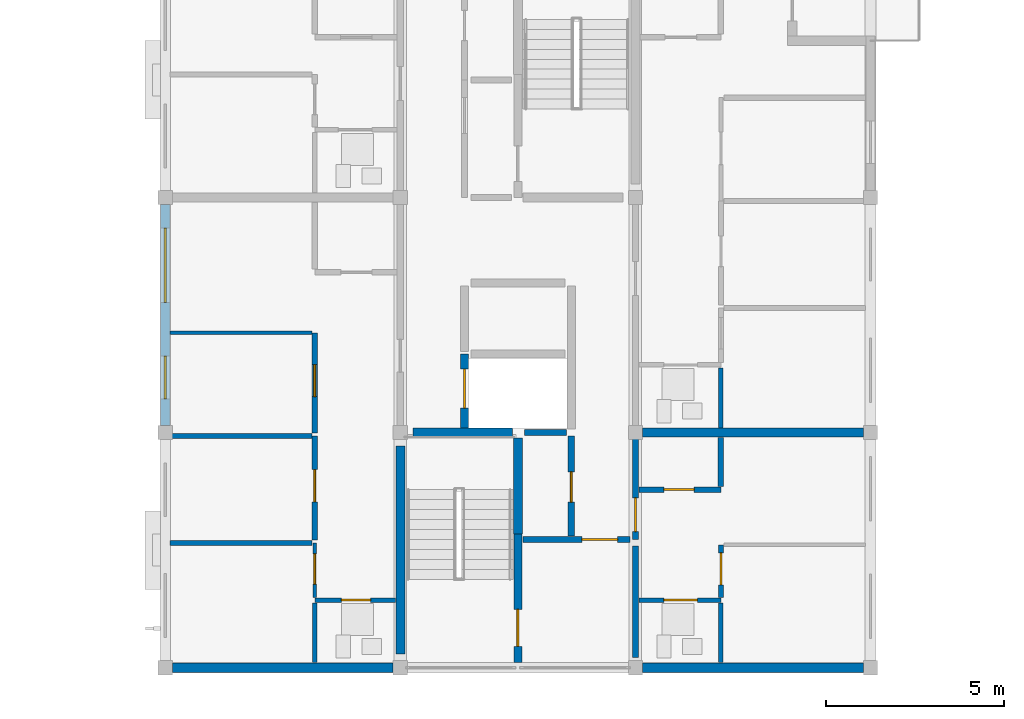
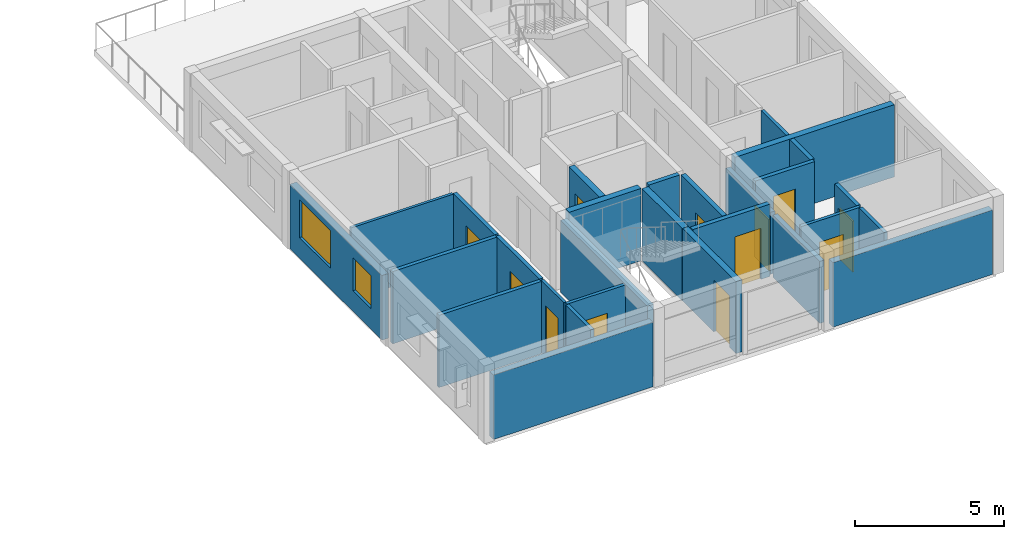
# One storey, part 17 of 37: 28 walls, 12 doors, 2 windows, 14 openings.
"""IFC4 building model written with IfcOpenShell, lengths in metres."""

from ifc_helpers import new_model, si_unit, direction, frame, frame_2d, origin, place, context, subcontext, project, spatial, rectangle, extrude, material, layer, layer_set, type_object, element, fill, save


model = new_model("IFC4")

# Units and contexts
model_context = context("Model", 3, precision=1e-05, world=origin(), true_north=direction((0.0, 1.0)))
body_context = subcontext(model_context, "Body", "Model", "MODEL_VIEW")
ifc_project = project(units=[si_unit("LENGTHUNIT", "METRE"), si_unit("AREAUNIT", "SQUARE_METRE"), si_unit("VOLUMEUNIT", "CUBIC_METRE"), si_unit("PLANEANGLEUNIT", "RADIAN"), si_unit("MASSUNIT", "GRAM", prefix="KILO")], contexts=[model_context])

# Site, building, storey
site_placement = place(None, origin())
site = spatial("IfcSite", under=ifc_project, at=site_placement, CompositionType="ELEMENT")
building_placement = place(site_placement, origin())
building = spatial("IfcBuilding", under=site, at=building_placement, Name="Kernevlak Ridge Housing Community", CompositionType="ELEMENT")
storey_placement = place(building_placement, frame((0.0, 0.0, 37.199951171875)))
storey = spatial("IfcBuildingStorey", under=building, at=storey_placement, Name="L11", CompositionType="ELEMENT", Elevation=37.199951171875)

# Wall, openings, windows
ifc_material_1 = material(Name="Concrete block masonry M10", Category="masonry")
ifc_layer_1 = layer(ifc_material_1, 0.260009765625, Name="Concrete block masonry M10")
ifc_layer_set_1 = layer_set([ifc_layer_1], Name="Concrete block masonry M10")
wall_type_1 = type_object("IfcWallType", Name="EW-05", PredefinedType="STANDARD", material=ifc_layer_set_1)
wall_1_placement = place(storey_placement, frame((126.0, 22.39990234375, 0.0), z_axis=(0.0, 0.0, 1.0), x_axis=(0.0, 1.0, 0.0)))
wall_1 = element("IfcWall", 1, at=wall_1_placement, inside=storey, type_object=wall_type_1, Name="Exterior wall EW-05 L11 685", PredefinedType="STANDARD", context=body_context, shape_type="SweptSolid", body=[
    extrude(rectangle(XDim=6.2001953125, YDim=0.260009765625, at=frame_2d((3.10009765625, 0.0))), origin(), (0.0, 0.0, 1.0), 2.650146484375),
])
opening_1_placement = place(wall_1_placement, frame((0.75, 0.0, 0.85009765625)))
opening_1 = element("IfcOpeningElement", 2, at=opening_1_placement, cuts=wall_1, Name="Opening WT-01", PredefinedType="OPENING", context=body_context, shape_type="SweptSolid", body=[
    extrude(rectangle(XDim=1.199951171875, YDim=1.35009765625, at=frame_2d((0.60009765625, 0.675048828125))), frame((0.0, 0.139892578125, 0.0), z_axis=(0.0, -1.0, 0.0), x_axis=(1.0, 0.0, 0.0)), (0.0, 0.0, 1.0), 0.280029296875),
])
opening_2_placement = place(wall_1_placement, frame((3.449951171875, 0.0, 0.85009765625)))
opening_2 = element("IfcOpeningElement", 3, at=opening_2_placement, cuts=wall_1, Name="Opening WT-05", PredefinedType="OPENING", context=body_context, shape_type="SweptSolid", body=[
    extrude(rectangle(XDim=2.10009765625, YDim=1.550048828125, at=frame_2d((1.050048828125, 0.77490234375))), frame((0.0, 0.139892578125, 0.0), z_axis=(0.0, -1.0, 0.0), x_axis=(1.0, 0.0, 0.0)), (0.0, 0.0, 1.0), 0.280029296875),
])
ifc_material_2 = material(Name="Aluminium EN AW-6060 anodised and laminated glass", Category="aluminium")
window_type_1 = type_object("IfcWindowType", Name="WT-01", PartitioningType="SINGLE_PANEL", PredefinedType="WINDOW", material=ifc_material_2)
window_1_placement = place(opening_1_placement, origin())
window_1 = element("IfcWindow", 4, at=window_1_placement, inside=storey, type_object=window_type_1, Name="Window WT-01 L11 558", OverallHeight=1.35009765625, OverallWidth=1.199951171875, PartitioningType="SINGLE_PANEL", PredefinedType="WINDOW", context=body_context, shape_type="SweptSolid", body=[
    extrude(rectangle(XDim=1.199951171875, YDim=1.35009765625, at=frame_2d((0.60009765625, 0.675048828125))), frame((0.0, 0.030029296875, 0.0), z_axis=(0.0, -1.0, 0.0), x_axis=(1.0, 0.0, 0.0)), (0.0, 0.0, 1.0), 0.06005859375),
])
fill(opening_1, window_1)
window_type_2 = type_object("IfcWindowType", Name="WT-05", PartitioningType="SINGLE_PANEL", PredefinedType="WINDOW", material=ifc_material_2)
window_2_placement = place(opening_2_placement, origin())
window_2 = element("IfcWindow", 5, at=window_2_placement, inside=storey, type_object=window_type_2, Name="Window WT-05 L11 559", OverallHeight=1.550048828125, OverallWidth=2.10009765625, PartitioningType="SINGLE_PANEL", PredefinedType="WINDOW", context=body_context, shape_type="SweptSolid", body=[
    extrude(rectangle(XDim=2.10009765625, YDim=1.550048828125, at=frame_2d((1.050048828125, 0.77490234375))), frame((0.0, 0.030029296875, 0.0), z_axis=(0.0, -1.0, 0.0), x_axis=(1.0, 0.0, 0.0)), (0.0, 0.0, 1.0), 0.06005859375),
])
fill(opening_2, window_2)

# Walls
wall_2_placement = place(storey_placement, frame((126.199951171875, 15.60009765625, 0.0), z_axis=(0.0, 0.0, 1.0), x_axis=(1.0, 0.0, 0.0)))
element("IfcWall", 6, at=wall_2_placement, inside=storey, type_object=wall_type_1, Name="Exterior wall EW-05 L11 692", PredefinedType="STANDARD", context=body_context, shape_type="SweptSolid", body=[
    extrude(rectangle(XDim=6.199951171875, YDim=0.260009765625, at=frame_2d((3.10009765625, 0.0))), origin(), (0.0, 0.0, 1.0), 2.650146484375),
])
wall_3_placement = place(storey_placement, frame((139.39990234375, 15.60009765625, 0.0), z_axis=(0.0, 0.0, 1.0), x_axis=(1.0, 0.0, 0.0)))
element("IfcWall", 7, at=wall_3_placement, inside=storey, type_object=wall_type_1, Name="Exterior wall EW-05 L11 693", PredefinedType="STANDARD", context=body_context, shape_type="SweptSolid", body=[
    extrude(rectangle(XDim=6.2001953125, YDim=0.260009765625, at=frame_2d((3.10009765625, 0.0))), origin(), (0.0, 0.0, 1.0), 2.650146484375),
])

# Wall, opening, door
ifc_material_3 = material(Name="Concrete C35/45", Category="concrete")
ifc_layer_2 = layer(ifc_material_3, 0.22509765625, Name="Concrete C35/45")
ifc_layer_set_2 = layer_set([ifc_layer_2], Name="Concrete C35/45")
wall_type_2 = type_object("IfcWallType", Name="PW-01", PredefinedType="STANDARD", material=ifc_layer_set_2)
wall_4_placement = place(storey_placement, frame((135.89990234375, 15.75, 0.0), z_axis=(0.0, 0.0, 1.0), x_axis=(0.0, 1.0, 0.0)))
wall_4 = element("IfcWall", 8, at=wall_4_placement, inside=storey, type_object=wall_type_2, Name="Interior wall PW-01 WAL-INT-L11-2790", PredefinedType="STANDARD", context=body_context, shape_type="SweptSolid", body=[
    extrude(rectangle(XDim=3.60009765625, YDim=0.22509765625, at=frame_2d((1.800048828125, 0.0))), origin(), (0.0, 0.0, 1.0), 2.969970703125),
])
opening_3_placement = place(wall_4_placement, frame((0.449951171875, 0.0, 0.0)))
opening_3 = element("IfcOpeningElement", 9, at=opening_3_placement, cuts=wall_4, Name="Opening E416", PredefinedType="OPENING", context=body_context, shape_type="SweptSolid", body=[
    extrude(rectangle(XDim=1.0400390625, YDim=2.1201171875, at=frame_2d((0.52001953125, 1.06005859375))), frame((0.0, 0.12255859375, 0.0), z_axis=(0.0, -1.0, 0.0), x_axis=(1.0, 0.0, 0.0)), (0.0, 0.0, 1.0), 0.2451171875),
])
ifc_material_4 = material(Name="Fire-rated sheet steel leaf", Category="steel")
door_type_1 = type_object("IfcDoorType", Name="DT-16", OperationType="NOTDEFINED", PredefinedType="DOOR", material=ifc_material_4)
door_1_placement = place(opening_3_placement, origin())
door_1 = element("IfcDoor", 10, at=door_1_placement, inside=storey, type_object=door_type_1, Name="Block C Stair 1 fire door E416", OperationType="SINGLE_SWING_LEFT", OverallHeight=2.1201171875, OverallWidth=1.0400390625, PredefinedType="DOOR", context=body_context, shape_type="SweptSolid", body=[
    extrude(rectangle(XDim=1.0400390625, YDim=2.1201171875, at=frame_2d((0.52001953125, 1.06005859375))), frame((0.0, 0.02490234375, 0.0), z_axis=(0.0, -1.0, 0.0), x_axis=(1.0, 0.0, 0.0)), (0.0, 0.0, 1.0), 0.050048828125),
])
fill(opening_3, door_1)

wall_5_placement = place(storey_placement, frame((134.39990234375, 22.3349609375, 0.0), z_axis=(0.0, 0.0, 1.0), x_axis=(0.0, 1.0, 0.0)))
wall_5 = element("IfcWall", 11, at=wall_5_placement, inside=storey, type_object=wall_type_2, Name="Interior wall PW-01 WAL-INT-L11-2794", PredefinedType="STANDARD", context=body_context, shape_type="SweptSolid", body=[
    extrude(rectangle(XDim=2.06494140625, YDim=0.22509765625, at=frame_2d((1.032470703125, 0.0))), origin(), (0.0, 0.0, 1.0), 2.969970703125),
])
opening_4_placement = place(wall_5_placement, frame((0.550048828125, 0.0, 0.0)))
opening_4 = element("IfcOpeningElement", 12, at=opening_4_placement, cuts=wall_5, Name="Opening LD75", PredefinedType="OPENING", context=body_context, shape_type="SweptSolid", body=[
    extrude(rectangle(XDim=1.10009765625, YDim=2.10009765625, at=frame_2d((0.550048828125, 1.050048828125))), frame((0.0, 0.12255859375, 0.0), z_axis=(0.0, -1.0, 0.0), x_axis=(1.0, 0.0, 0.0)), (0.0, 0.0, 1.0), 0.2451171875),
])
ifc_material_5 = material(Name="Stainless steel EN 1.4401", Category="steel")
door_type_2 = type_object("IfcDoorType", Name="DT-LD1", OperationType="DOUBLE_DOOR_SLIDING", PredefinedType="DOOR", material=ifc_material_5)
door_2_placement = place(opening_4_placement, origin())
door_2 = element("IfcDoor", 13, at=door_2_placement, inside=storey, type_object=door_type_2, Name="Lift LF-C1 landing door LD75", OperationType="DOUBLE_DOOR_SLIDING", OverallHeight=2.10009765625, OverallWidth=1.10009765625, PredefinedType="DOOR", context=body_context, shape_type="SweptSolid", body=[
    extrude(rectangle(XDim=1.10009765625, YDim=2.10009765625, at=frame_2d((0.550048828125, 1.050048828125))), frame((0.0, 0.02490234375, 0.0), z_axis=(0.0, -1.0, 0.0), x_axis=(1.0, 0.0, 0.0)), (0.0, 0.0, 1.0), 0.050048828125),
])
fill(opening_4, door_2)

ifc_layer_3 = layer(ifc_material_1, 0.175048828125, Name="Concrete block masonry M10")
ifc_layer_set_3 = layer_set([ifc_layer_3], Name="Concrete block masonry M10")
wall_type_3 = type_object("IfcWallType", Name="PW-02", PredefinedType="PARTITIONING", material=ifc_layer_set_3)
wall_6_placement = place(storey_placement, frame((136.050048828125, 19.199951171875, 0.0), z_axis=(0.0, 0.0, 1.0), x_axis=(1.0, 0.0, 0.0)))
wall_6 = element("IfcWall", 14, at=wall_6_placement, inside=storey, type_object=wall_type_3, Name="Interior wall PW-02 WAL-INT-L11-2791", PredefinedType="PARTITIONING", context=body_context, shape_type="SweptSolid", body=[
    extrude(rectangle(XDim=3.0, YDim=0.175048828125, at=frame_2d((1.5, 0.0))), origin(), (0.0, 0.0, 1.0), 2.969970703125),
])
opening_5_placement = place(wall_6_placement, frame((1.64990234375, 0.0, 0.0)))
opening_5 = element("IfcOpeningElement", 15, at=opening_5_placement, cuts=wall_6, Name="Opening E417", PredefinedType="OPENING", context=body_context, shape_type="SweptSolid", body=[
    extrude(rectangle(XDim=1.0, YDim=2.10009765625, at=frame_2d((0.5, 1.050048828125))), frame((0.0, 0.097412109375, 0.0), z_axis=(0.0, -1.0, 0.0), x_axis=(1.0, 0.0, 0.0)), (0.0, 0.0, 1.0), 0.195068359375),
])
door_type_3 = type_object("IfcDoorType", Name="DT-05", OperationType="NOTDEFINED", PredefinedType="DOOR", material=ifc_material_4)
door_3_placement = place(opening_5_placement, origin())
door_3 = element("IfcDoor", 16, at=door_3_placement, inside=storey, type_object=door_type_3, Name="Block C Firefighting lobby 1 door E417", OperationType="SINGLE_SWING_RIGHT", OverallHeight=2.10009765625, OverallWidth=1.0, PredefinedType="DOOR", context=body_context, shape_type="SweptSolid", body=[
    extrude(rectangle(XDim=1.0, YDim=2.10009765625, at=frame_2d((0.5, 1.050048828125))), frame((0.0, 0.02490234375, 0.0), z_axis=(0.0, -1.0, 0.0), x_axis=(1.0, 0.0, 0.0)), (0.0, 0.0, 1.0), 0.050048828125),
])
fill(opening_5, door_3)

wall_7_placement = place(storey_placement, frame((137.39990234375, 19.300048828125, 0.0), z_axis=(0.0, 0.0, 1.0), x_axis=(0.0, 1.0, 0.0)))
wall_7 = element("IfcWall", 17, at=wall_7_placement, inside=storey, type_object=wall_type_3, Name="Interior wall PW-02 WAL-INT-L11-2792", PredefinedType="PARTITIONING", context=body_context, shape_type="SweptSolid", body=[
    extrude(rectangle(XDim=2.800048828125, YDim=0.175048828125, at=frame_2d((1.39990234375, 0.0))), origin(), (0.0, 0.0, 1.0), 2.969970703125),
])
opening_6_placement = place(wall_7_placement, frame((0.949951171875, 0.0, 0.0)))
opening_6 = element("IfcOpeningElement", 18, at=opening_6_placement, cuts=wall_7, Name="Opening E418", PredefinedType="OPENING", context=body_context, shape_type="SweptSolid", body=[
    extrude(rectangle(XDim=0.85009765625, YDim=2.0, at=frame_2d((0.425048828125, 1.0))), frame((0.0, 0.097412109375, 0.0), z_axis=(0.0, -1.0, 0.0), x_axis=(1.0, 0.0, 0.0)), (0.0, 0.0, 1.0), 0.195068359375),
])
door_type_4 = type_object("IfcDoorType", Name="DT-07", OperationType="NOTDEFINED", PredefinedType="DOOR", material=ifc_material_4)
door_4_placement = place(opening_6_placement, origin())
door_4 = element("IfcDoor", 19, at=door_4_placement, inside=storey, type_object=door_type_4, Name="Block C Riser shaft door E418", OperationType="SINGLE_SWING_LEFT", OverallHeight=2.0, OverallWidth=0.85009765625, PredefinedType="DOOR", context=body_context, shape_type="SweptSolid", body=[
    extrude(rectangle(XDim=0.85009765625, YDim=2.0, at=frame_2d((0.425048828125, 1.0))), frame((0.0, 0.02490234375, 0.0), z_axis=(0.0, -1.0, 0.0), x_axis=(1.0, 0.0, 0.0)), (0.0, 0.0, 1.0), 0.050048828125),
])
fill(opening_6, door_4)

# Walls
wall_8_placement = place(storey_placement, frame((136.080078125, 22.199951171875, 0.0), z_axis=(0.0, 0.0, 1.0), x_axis=(1.0, 0.0, 0.0)))
element("IfcWall", 20, at=wall_8_placement, inside=storey, type_object=wall_type_3, Name="Interior wall PW-02 WAL-INT-L11-2793", PredefinedType="PARTITIONING", context=body_context, shape_type="SweptSolid", body=[
    extrude(rectangle(XDim=1.18994140625, YDim=0.175048828125, at=frame_2d((0.594970703125, 0.0))), origin(), (0.0, 0.0, 1.0), 2.969970703125),
])
wall_9_placement = place(storey_placement, frame((139.199951171875, 15.8798828125, 0.0), z_axis=(0.0, 0.0, 1.0), x_axis=(0.0, 1.0, 0.0)))
element("IfcWall", 21, at=wall_9_placement, inside=storey, type_object=wall_type_3, Name="Interior wall PW-02 WAL-INT-L11-2824", PredefinedType="PARTITIONING", context=body_context, shape_type="SweptSolid", body=[
    extrude(rectangle(XDim=3.14013671875, YDim=0.175048828125, at=frame_2d((1.570068359375, 0.0))), origin(), (0.0, 0.0, 1.0), 2.550048828125),
])

# Wall, opening, door
wall_10_placement = place(storey_placement, frame((139.199951171875, 19.199951171875, 0.0), z_axis=(0.0, 0.0, 1.0), x_axis=(0.0, 1.0, 0.0)))
wall_10 = element("IfcWall", 22, at=wall_10_placement, inside=storey, type_object=wall_type_3, Name="Interior wall PW-02 WAL-INT-L11-2825", PredefinedType="PARTITIONING", context=body_context, shape_type="SweptSolid", body=[
    extrude(rectangle(XDim=3.0, YDim=0.175048828125, at=frame_2d((1.5, 0.0))), origin(), (0.0, 0.0, 1.0), 2.550048828125),
])
opening_7_placement = place(wall_10_placement, frame((0.219970703125, 0.0, 0.0)))
opening_7 = element("IfcOpeningElement", 23, at=opening_7_placement, cuts=wall_10, Name="Opening E433", PredefinedType="OPENING", context=body_context, shape_type="SweptSolid", body=[
    extrude(rectangle(XDim=0.949951171875, YDim=2.10009765625, at=frame_2d((0.47509765625, 1.050048828125))), frame((0.0, 0.097412109375, 0.0), z_axis=(0.0, -1.0, 0.0), x_axis=(1.0, 0.0, 0.0)), (0.0, 0.0, 1.0), 0.195068359375),
])
ifc_material_6 = material(Name="Hardwood timber solid-core fire leaf", Category="wood")
door_type_5 = type_object("IfcDoorType", Name="DT-01", OperationType="NOTDEFINED", PredefinedType="DOOR", material=ifc_material_6)
door_5_placement = place(opening_7_placement, origin())
door_5 = element("IfcDoor", 24, at=door_5_placement, inside=storey, type_object=door_type_5, Name="Flat C1121 entrance fire door E433", OperationType="SINGLE_SWING_RIGHT", OverallHeight=2.10009765625, OverallWidth=0.949951171875, PredefinedType="DOOR", context=body_context, shape_type="SweptSolid", body=[
    extrude(rectangle(XDim=0.949951171875, YDim=2.10009765625, at=frame_2d((0.47509765625, 1.050048828125))), frame((0.0, 0.02490234375, 0.0), z_axis=(0.0, -1.0, 0.0), x_axis=(1.0, 0.0, 0.0)), (0.0, 0.0, 1.0), 0.050048828125),
])
fill(opening_7, door_5)

# Wall
ifc_layer_4 = layer(ifc_material_1, 0.14501953125, Name="Concrete block masonry M10")
ifc_layer_set_4 = layer_set([ifc_layer_4], Name="Concrete block masonry M10")
wall_type_4 = type_object("IfcWallType", Name="PW-03", PredefinedType="PARTITIONING", material=ifc_layer_set_4)
wall_11_placement = place(storey_placement, frame((130.1201171875, 19.10009765625, 0.0), z_axis=(0.0, 0.0, 1.0), x_axis=(-1.0, 0.0, 0.0)))
element("IfcWall", 25, at=wall_11_placement, inside=storey, type_object=wall_type_4, Name="Interior wall PW-03 WAL-INT-L11-2812", PredefinedType="PARTITIONING", context=body_context, shape_type="SweptSolid", body=[
    extrude(rectangle(XDim=3.980224609375, YDim=0.14501953125, at=frame_2d((1.990234375, 0.0))), origin(), (0.0, 0.0, 1.0), 2.969970703125),
])

# Wall, opening, door
wall_12_placement = place(storey_placement, frame((130.199951171875, 19.1826171875, 0.0), z_axis=(0.0, 0.0, 1.0), x_axis=(0.0, 1.0, 0.0)))
wall_12 = element("IfcWall", 26, at=wall_12_placement, inside=storey, type_object=wall_type_4, Name="Interior wall PW-03 WAL-INT-L11-2813", PredefinedType="PARTITIONING", context=body_context, shape_type="SweptSolid", body=[
    extrude(rectangle(XDim=2.91748046875, YDim=0.14501953125, at=frame_2d((1.458740234375, 0.0))), origin(), (0.0, 0.0, 1.0), 2.969970703125),
])
opening_8_placement = place(wall_12_placement, frame((1.074951171875, 0.0, 0.0)))
opening_8 = element("IfcOpeningElement", 27, at=opening_8_placement, cuts=wall_12, Name="Opening E427", PredefinedType="OPENING", context=body_context, shape_type="SweptSolid", body=[
    extrude(rectangle(XDim=0.89990234375, YDim=2.10009765625, at=frame_2d((0.449951171875, 1.050048828125))), frame((0.0, 0.08251953125, 0.0), z_axis=(0.0, -1.0, 0.0), x_axis=(1.0, 0.0, 0.0)), (0.0, 0.0, 1.0), 0.1650390625),
])
ifc_material_7 = material(Name="Hardwood timber leaf", Category="wood")
door_type_6 = type_object("IfcDoorType", Name="DT-21", OperationType="NOTDEFINED", PredefinedType="DOOR", material=ifc_material_7)
door_6_placement = place(opening_8_placement, origin())
door_6 = element("IfcDoor", 28, at=door_6_placement, inside=storey, type_object=door_type_6, Name="Flat C1111 bedroom door E427", OperationType="SINGLE_SWING_RIGHT", OverallHeight=2.10009765625, OverallWidth=0.89990234375, PredefinedType="DOOR", context=body_context, shape_type="SweptSolid", body=[
    extrude(rectangle(XDim=0.89990234375, YDim=2.10009765625, at=frame_2d((0.449951171875, 1.050048828125))), frame((0.0, 0.02490234375, 0.0), z_axis=(0.0, -1.0, 0.0), x_axis=(1.0, 0.0, 0.0)), (0.0, 0.0, 1.0), 0.050048828125),
])
fill(opening_8, door_6)

# Wall
wall_13_placement = place(storey_placement, frame((130.117431640625, 22.10009765625, 0.0), z_axis=(0.0, 0.0, 1.0), x_axis=(-1.0, 0.0, 0.0)))
element("IfcWall", 29, at=wall_13_placement, inside=storey, type_object=wall_type_4, Name="Interior wall PW-03 WAL-INT-L11-2814", PredefinedType="PARTITIONING", context=body_context, shape_type="SweptSolid", body=[
    extrude(rectangle(XDim=4.037353515625, YDim=0.14501953125, at=frame_2d((2.0185546875, 0.0))), origin(), (0.0, 0.0, 1.0), 2.969970703125),
])

# Wall, opening, door
wall_14_placement = place(storey_placement, frame((130.199951171875, 22.1826171875, 0.0), z_axis=(0.0, 0.0, 1.0), x_axis=(0.0, 1.0, 0.0)))
wall_14 = element("IfcWall", 30, at=wall_14_placement, inside=storey, type_object=wall_type_4, Name="Interior wall PW-03 WAL-INT-L11-2815", PredefinedType="PARTITIONING", context=body_context, shape_type="SweptSolid", body=[
    extrude(rectangle(XDim=2.8173828125, YDim=0.14501953125, at=frame_2d((1.40869140625, 0.0))), origin(), (0.0, 0.0, 1.0), 2.969970703125),
])
opening_9_placement = place(wall_14_placement, frame((1.02490234375, 0.0, 0.0)))
opening_9 = element("IfcOpeningElement", 31, at=opening_9_placement, cuts=wall_14, Name="Opening E428", PredefinedType="OPENING", context=body_context, shape_type="SweptSolid", body=[
    extrude(rectangle(XDim=0.89990234375, YDim=2.159912109375, at=frame_2d((0.449951171875, 1.080078125))), frame((0.0, 0.08251953125, 0.0), z_axis=(0.0, -1.0, 0.0), x_axis=(1.0, 0.0, 0.0)), (0.0, 0.0, 1.0), 0.1650390625),
])
door_type_7 = type_object("IfcDoorType", Name="DT-22", OperationType="NOTDEFINED", PredefinedType="DOOR", material=ifc_material_7)
door_7_placement = place(opening_9_placement, origin())
door_7 = element("IfcDoor", 32, at=door_7_placement, inside=storey, type_object=door_type_7, Name="Flat C1111 bedroom door E428", OperationType="SINGLE_SWING_LEFT", OverallHeight=2.159912109375, OverallWidth=0.89990234375, PredefinedType="DOOR", context=body_context, shape_type="SweptSolid", body=[
    extrude(rectangle(XDim=0.89990234375, YDim=2.159912109375, at=frame_2d((0.449951171875, 1.080078125))), frame((0.0, 0.02490234375, 0.0), z_axis=(0.0, -1.0, 0.0), x_axis=(1.0, 0.0, 0.0)), (0.0, 0.0, 1.0), 0.050048828125),
])
fill(opening_9, door_7)

wall_15_placement = place(storey_placement, frame((141.60009765625, 17.572509765625, 0.0), z_axis=(0.0, 0.0, 1.0), x_axis=(0.0, 1.0, 0.0)))
wall_15 = element("IfcWall", 33, at=wall_15_placement, inside=storey, type_object=wall_type_4, Name="Interior wall PW-03 WAL-INT-L11-2830", PredefinedType="PARTITIONING", context=body_context, shape_type="SweptSolid", body=[
    extrude(rectangle(XDim=1.4775390625, YDim=0.14501953125, at=frame_2d((0.73876953125, 0.0))), origin(), (0.0, 0.0, 1.0), 2.969970703125),
])
opening_10_placement = place(wall_15_placement, frame((0.35009765625, 0.0, 0.0)))
opening_10 = element("IfcOpeningElement", 34, at=opening_10_placement, cuts=wall_15, Name="Opening E436", PredefinedType="OPENING", context=body_context, shape_type="SweptSolid", body=[
    extrude(rectangle(XDim=0.89990234375, YDim=2.10009765625, at=frame_2d((0.449951171875, 1.050048828125))), frame((0.0, 0.08251953125, 0.0), z_axis=(0.0, -1.0, 0.0), x_axis=(1.0, 0.0, 0.0)), (0.0, 0.0, 1.0), 0.1650390625),
])
door_8_placement = place(opening_10_placement, origin())
door_8 = element("IfcDoor", 35, at=door_8_placement, inside=storey, type_object=door_type_6, Name="Flat C1121 bedroom door E436", OperationType="SINGLE_SWING_LEFT", OverallHeight=2.10009765625, OverallWidth=0.89990234375, PredefinedType="DOOR", context=body_context, shape_type="SweptSolid", body=[
    extrude(rectangle(XDim=0.89990234375, YDim=2.10009765625, at=frame_2d((0.449951171875, 1.050048828125))), frame((0.0, 0.02490234375, 0.0), z_axis=(0.0, -1.0, 0.0), x_axis=(1.0, 0.0, 0.0)), (0.0, 0.0, 1.0), 0.050048828125),
])
fill(opening_10, door_8)

ifc_material_8 = material(Name="Gypsum plasterboard EN 520", Category="gypsum")
ifc_layer_5 = layer(ifc_material_8, 0.125, Name="Gypsum plasterboard EN 520")
ifc_layer_set_5 = layer_set([ifc_layer_5], Name="Gypsum plasterboard EN 520")
wall_type_5 = type_object("IfcWallType", Name="PW-04", PredefinedType="PARTITIONING", material=ifc_layer_set_5)
wall_16_placement = place(storey_placement, frame((132.465087890625, 17.5, 0.0), z_axis=(0.0, 0.0, 1.0), x_axis=(-1.0, 0.0, 0.0)))
wall_16 = element("IfcWall", 36, at=wall_16_placement, inside=storey, type_object=wall_type_5, Name="Interior wall PW-04 WAL-INT-L11-2807", PredefinedType="PARTITIONING", context=body_context, shape_type="SweptSolid", body=[
    extrude(rectangle(XDim=2.26513671875, YDim=0.125, at=frame_2d((1.132568359375, 0.0))), origin(), (0.0, 0.0, 1.0), 2.969970703125),
])
opening_11_placement = place(wall_16_placement, frame((0.699951171875, 0.0, 0.0)))
opening_11 = element("IfcOpeningElement", 37, at=opening_11_placement, cuts=wall_16, Name="Opening E424", PredefinedType="OPENING", context=body_context, shape_type="SweptSolid", body=[
    extrude(rectangle(XDim=0.820068359375, YDim=2.050048828125, at=frame_2d((0.41015625, 1.02490234375))), frame((0.0, 0.072509765625, 0.0), z_axis=(0.0, -1.0, 0.0), x_axis=(1.0, 0.0, 0.0)), (0.0, 0.0, 1.0), 0.14501953125),
])
ifc_material_9 = material(Name="Hardwood timber moisture-resistant leaf", Category="wood")
door_type_8 = type_object("IfcDoorType", Name="DT-30", OperationType="NOTDEFINED", PredefinedType="DOOR", material=ifc_material_9)
door_9_placement = place(opening_11_placement, origin())
door_9 = element("IfcDoor", 38, at=door_9_placement, inside=storey, type_object=door_type_8, Name="Flat C1111 bathroom door E424", OperationType="SINGLE_SWING_LEFT", OverallHeight=2.050048828125, OverallWidth=0.820068359375, PredefinedType="DOOR", context=body_context, shape_type="SweptSolid", body=[
    extrude(rectangle(XDim=0.820068359375, YDim=2.050048828125, at=frame_2d((0.41015625, 1.02490234375))), frame((0.0, 0.02490234375, 0.0), z_axis=(0.0, -1.0, 0.0), x_axis=(1.0, 0.0, 0.0)), (0.0, 0.0, 1.0), 0.050048828125),
])
fill(opening_11, door_9)

# Wall
wall_17_placement = place(storey_placement, frame((130.199951171875, 15.739990234375, 0.0), z_axis=(0.0, 0.0, 1.0), x_axis=(0.0, 1.0, 0.0)))
element("IfcWall", 39, at=wall_17_placement, inside=storey, type_object=wall_type_5, Name="Interior wall PW-04 WAL-INT-L11-2808", PredefinedType="PARTITIONING", context=body_context, shape_type="SweptSolid", body=[
    extrude(rectangle(XDim=1.679931640625, YDim=0.125, at=frame_2d((0.83984375, 0.0))), origin(), (0.0, 0.0, 1.0), 2.969970703125),
])

# Wall, opening, door
wall_18_placement = place(storey_placement, frame((139.297607421875, 17.5, 0.0), z_axis=(0.0, 0.0, 1.0), x_axis=(1.0, 0.0, 0.0)))
wall_18 = element("IfcWall", 40, at=wall_18_placement, inside=storey, type_object=wall_type_5, Name="Interior wall PW-04 WAL-INT-L11-2826", PredefinedType="PARTITIONING", context=body_context, shape_type="SweptSolid", body=[
    extrude(rectangle(XDim=2.302490234375, YDim=0.125, at=frame_2d((1.1513671875, 0.0))), origin(), (0.0, 0.0, 1.0), 2.969970703125),
])
opening_12_placement = place(wall_18_placement, frame((0.699951171875, 0.0, 0.0)))
opening_12 = element("IfcOpeningElement", 41, at=opening_12_placement, cuts=wall_18, Name="Opening E434", PredefinedType="OPENING", context=body_context, shape_type="SweptSolid", body=[
    extrude(rectangle(XDim=0.93994140625, YDim=2.080078125, at=frame_2d((0.469970703125, 1.0400390625))), frame((0.0, 0.072509765625, 0.0), z_axis=(0.0, -1.0, 0.0), x_axis=(1.0, 0.0, 0.0)), (0.0, 0.0, 1.0), 0.14501953125),
])
door_type_9 = type_object("IfcDoorType", Name="DT-23", OperationType="NOTDEFINED", PredefinedType="DOOR", material=ifc_material_9)
door_10_placement = place(opening_12_placement, origin())
door_10 = element("IfcDoor", 42, at=door_10_placement, inside=storey, type_object=door_type_9, Name="Flat C1121 bathroom door E434", OperationType="SINGLE_SWING_LEFT", OverallHeight=2.080078125, OverallWidth=0.93994140625, PredefinedType="DOOR", context=body_context, shape_type="SweptSolid", body=[
    extrude(rectangle(XDim=0.93994140625, YDim=2.080078125, at=frame_2d((0.469970703125, 1.0400390625))), frame((0.0, 0.02490234375, 0.0), z_axis=(0.0, -1.0, 0.0), x_axis=(1.0, 0.0, 0.0)), (0.0, 0.0, 1.0), 0.050048828125),
])
fill(opening_12, door_10)

# Walls
wall_19_placement = place(storey_placement, frame((141.60009765625, 15.739990234375, 0.0), z_axis=(0.0, 0.0, 1.0), x_axis=(0.0, 1.0, 0.0)))
element("IfcWall", 43, at=wall_19_placement, inside=storey, type_object=wall_type_5, Name="Interior wall PW-04 WAL-INT-L11-2827", PredefinedType="PARTITIONING", context=body_context, shape_type="SweptSolid", body=[
    extrude(rectangle(XDim=1.679931640625, YDim=0.125, at=frame_2d((0.83984375, 0.0))), origin(), (0.0, 0.0, 1.0), 2.969970703125),
])
wall_20_placement = place(storey_placement, frame((141.60009765625, 22.3349609375, 0.0), z_axis=(0.0, 0.0, 1.0), x_axis=(0.0, 1.0, 0.0)))
element("IfcWall", 44, at=wall_20_placement, inside=storey, type_object=wall_type_5, Name="Interior wall PW-04 WAL-INT-L11-2834", PredefinedType="PARTITIONING", context=body_context, shape_type="SweptSolid", body=[
    extrude(rectangle(XDim=1.68505859375, YDim=0.125, at=frame_2d((0.842529296875, 0.0))), origin(), (0.0, 0.0, 1.0), 2.969970703125),
])

# Wall, opening, door
ifc_layer_6 = layer(ifc_material_8, 0.155029296875, Name="Gypsum plasterboard EN 520")
ifc_layer_set_6 = layer_set([ifc_layer_6], Name="Gypsum plasterboard EN 520")
wall_type_6 = type_object("IfcWallType", Name="PW-05", PredefinedType="PARTITIONING", material=ifc_layer_set_6)
wall_21_placement = place(storey_placement, frame((139.297607421875, 20.60009765625, 0.0), z_axis=(0.0, 0.0, 1.0), x_axis=(1.0, 0.0, 0.0)))
wall_21 = element("IfcWall", 45, at=wall_21_placement, inside=storey, type_object=wall_type_6, Name="Interior wall PW-05 WAL-INT-L11-2828", PredefinedType="PARTITIONING", context=body_context, shape_type="SweptSolid", body=[
    extrude(rectangle(XDim=2.302490234375, YDim=0.155029296875, at=frame_2d((1.1513671875, 0.0))), origin(), (0.0, 0.0, 1.0), 2.969970703125),
])
opening_13_placement = place(wall_21_placement, frame((0.699951171875, 0.0, 0.0)))
opening_13 = element("IfcOpeningElement", 46, at=opening_13_placement, cuts=wall_21, Name="Opening E435", PredefinedType="OPENING", context=body_context, shape_type="SweptSolid", body=[
    extrude(rectangle(XDim=0.85009765625, YDim=2.10009765625, at=frame_2d((0.425048828125, 1.050048828125))), frame((0.0, 0.08740234375, 0.0), z_axis=(0.0, -1.0, 0.0), x_axis=(1.0, 0.0, 0.0)), (0.0, 0.0, 1.0), 0.175048828125),
])
door_type_10 = type_object("IfcDoorType", Name="DT-03", OperationType="NOTDEFINED", PredefinedType="DOOR", material=ifc_material_7)
door_11_placement = place(opening_13_placement, origin())
door_11 = element("IfcDoor", 47, at=door_11_placement, inside=storey, type_object=door_type_10, Name="Flat C1121 kitchen door E435", OperationType="SINGLE_SWING_RIGHT", OverallHeight=2.10009765625, OverallWidth=0.85009765625, PredefinedType="DOOR", context=body_context, shape_type="SweptSolid", body=[
    extrude(rectangle(XDim=0.85009765625, YDim=2.10009765625, at=frame_2d((0.425048828125, 1.050048828125))), frame((0.0, 0.02490234375, 0.0), z_axis=(0.0, -1.0, 0.0), x_axis=(1.0, 0.0, 0.0)), (0.0, 0.0, 1.0), 0.050048828125),
])
fill(opening_13, door_11)

# Wall
wall_22_placement = place(storey_placement, frame((141.60009765625, 20.6875, 0.0), z_axis=(0.0, 0.0, 1.0), x_axis=(0.0, 1.0, 0.0)))
element("IfcWall", 48, at=wall_22_placement, inside=storey, type_object=wall_type_6, Name="Interior wall PW-05 WAL-INT-L11-2829", PredefinedType="PARTITIONING", context=body_context, shape_type="SweptSolid", body=[
    extrude(rectangle(XDim=1.37744140625, YDim=0.155029296875, at=frame_2d((0.688720703125, 0.0))), origin(), (0.0, 0.0, 1.0), 2.969970703125),
])

# Wall, opening, door
ifc_layer_7 = layer(ifc_material_8, 0.10498046875, Name="Gypsum plasterboard EN 520")
ifc_layer_set_7 = layer_set([ifc_layer_7], Name="Gypsum plasterboard EN 520")
wall_type_7 = type_object("IfcWallType", Name="PW-06", PredefinedType="PARTITIONING", material=ifc_layer_set_7)
wall_23_placement = place(storey_placement, frame((130.199951171875, 17.572509765625, 0.0), z_axis=(0.0, 0.0, 1.0), x_axis=(0.0, 1.0, 0.0)))
wall_23 = element("IfcWall", 49, at=wall_23_placement, inside=storey, type_object=wall_type_7, Name="Interior wall PW-06 WAL-INT-L11-2811", PredefinedType="PARTITIONING", context=body_context, shape_type="SweptSolid", body=[
    extrude(rectangle(XDim=1.527587890625, YDim=0.10498046875, at=frame_2d((0.763671875, 0.0))), origin(), (0.0, 0.0, 1.0), 2.969970703125),
])
opening_14_placement = place(wall_23_placement, frame((0.375, 0.0, 0.0)))
opening_14 = element("IfcOpeningElement", 50, at=opening_14_placement, cuts=wall_23, Name="Opening E426", PredefinedType="OPENING", context=body_context, shape_type="SweptSolid", body=[
    extrude(rectangle(XDim=0.85009765625, YDim=2.10009765625, at=frame_2d((0.425048828125, 1.050048828125))), frame((0.0, 0.0625, 0.0), z_axis=(0.0, -1.0, 0.0), x_axis=(1.0, 0.0, 0.0)), (0.0, 0.0, 1.0), 0.125),
])
door_12_placement = place(opening_14_placement, origin())
door_12 = element("IfcDoor", 51, at=door_12_placement, inside=storey, type_object=door_type_10, Name="Flat C1111 bedroom door E426", OperationType="SINGLE_SWING_LEFT", OverallHeight=2.10009765625, OverallWidth=0.85009765625, PredefinedType="DOOR", context=body_context, shape_type="SweptSolid", body=[
    extrude(rectangle(XDim=0.85009765625, YDim=2.10009765625, at=frame_2d((0.425048828125, 1.050048828125))), frame((0.0, 0.02490234375, 0.0), z_axis=(0.0, -1.0, 0.0), x_axis=(1.0, 0.0, 0.0)), (0.0, 0.0, 1.0), 0.050048828125),
])
fill(opening_14, door_12)

# Walls
wall_24_placement = place(storey_placement, frame((130.117431640625, 25.0, 0.0), z_axis=(0.0, 0.0, 1.0), x_axis=(-1.0, 0.0, 0.0)))
element("IfcWall", 52, at=wall_24_placement, inside=storey, type_object=wall_type_7, Name="Interior wall PW-06 WAL-INT-L11-2816", PredefinedType="PARTITIONING", context=body_context, shape_type="SweptSolid", body=[
    extrude(rectangle(XDim=3.9775390625, YDim=0.10498046875, at=frame_2d((1.98876953125, 0.0))), origin(), (0.0, 0.0, 1.0), 2.969970703125),
])
ifc_material_10 = material(Name="Concrete C40/50", Category="concrete")
ifc_layer_8 = layer(ifc_material_10, 0.25, Name="Concrete C40/50")
ifc_layer_set_8 = layer_set([ifc_layer_8], Name="Concrete C40/50")
wall_type_8 = type_object("IfcWallType", Name="SW-03", PredefinedType="SHEAR", material=ifc_layer_set_8)
wall_25_placement = place(storey_placement, frame((132.60009765625, 15.97998046875, 0.0), z_axis=(0.0, 0.0, 1.0), x_axis=(0.0, 1.0, 0.0)))
element("IfcWall", 53, at=wall_25_placement, inside=storey, type_object=wall_type_8, Name="Shear wall SW-03 Block C L11 481", PredefinedType="SHEAR", context=body_context, shape_type="SweptSolid", body=[
    extrude(rectangle(XDim=5.840087890625, YDim=0.25, at=frame_2d((2.919921875, 0.0))), origin(), (0.0, 0.0, 1.0), 2.969970703125),
])
wall_26_placement = place(storey_placement, frame((135.89990234375, 19.35009765625, 0.0), z_axis=(0.0, 0.0, 1.0), x_axis=(0.0, 1.0, 0.0)))
element("IfcWall", 54, at=wall_26_placement, inside=storey, type_object=wall_type_8, Name="Shear wall SW-03 Block C L11 482", PredefinedType="SHEAR", context=body_context, shape_type="SweptSolid", body=[
    extrude(rectangle(XDim=2.699951171875, YDim=0.25, at=frame_2d((1.35009765625, 0.0))), origin(), (0.0, 0.0, 1.0), 2.969970703125),
])
wall_27_placement = place(storey_placement, frame((132.949951171875, 22.199951171875, 0.0), z_axis=(0.0, 0.0, 1.0), x_axis=(1.0, 0.0, 0.0)))
element("IfcWall", 55, at=wall_27_placement, inside=storey, type_object=wall_type_8, Name="Shear wall SW-03 Block C L11 483", PredefinedType="SHEAR", context=body_context, shape_type="SweptSolid", body=[
    extrude(rectangle(XDim=2.800048828125, YDim=0.25, at=frame_2d((1.39990234375, 0.0))), origin(), (0.0, 0.0, 1.0), 2.969970703125),
])
wall_28_placement = place(storey_placement, frame((139.39990234375, 22.199951171875, 0.0), z_axis=(0.0, 0.0, 1.0), x_axis=(1.0, 0.0, 0.0)))
element("IfcWall", 56, at=wall_28_placement, inside=storey, type_object=wall_type_8, Name="Shear wall SW-03 Block C L11 488", PredefinedType="SHEAR", context=body_context, shape_type="SweptSolid", body=[
    extrude(rectangle(XDim=6.2001953125, YDim=0.25, at=frame_2d((3.10009765625, 0.0))), origin(), (0.0, 0.0, 1.0), 2.969970703125),
])

save(model, "model.ifc")
